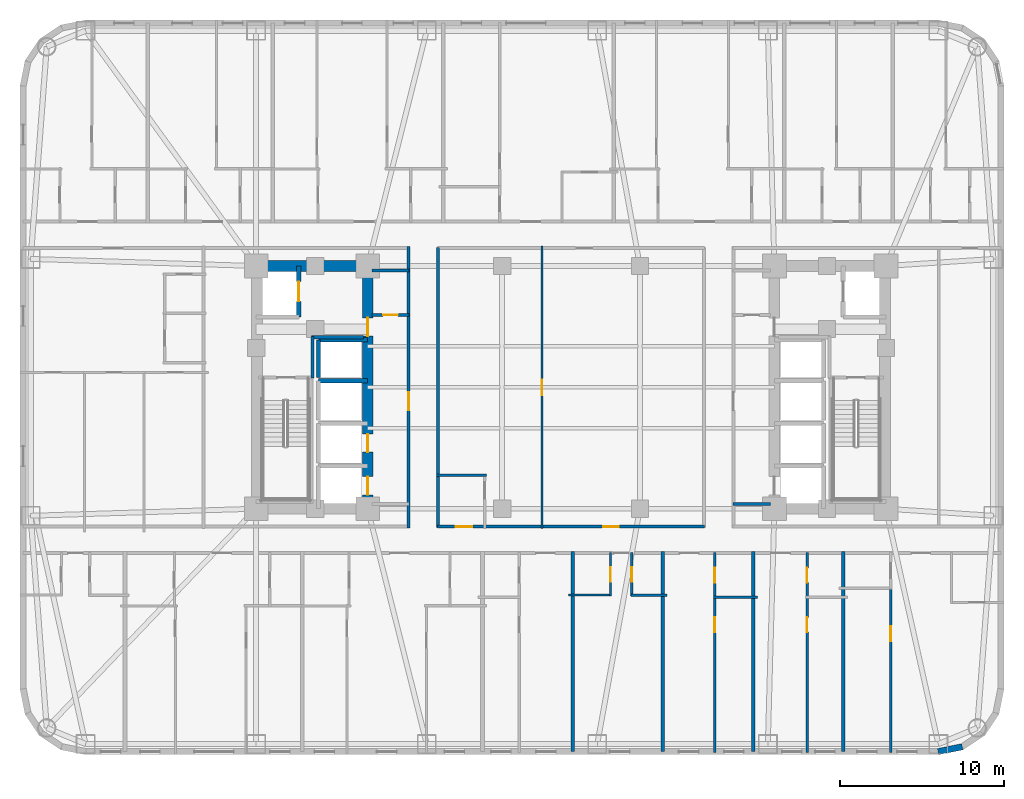
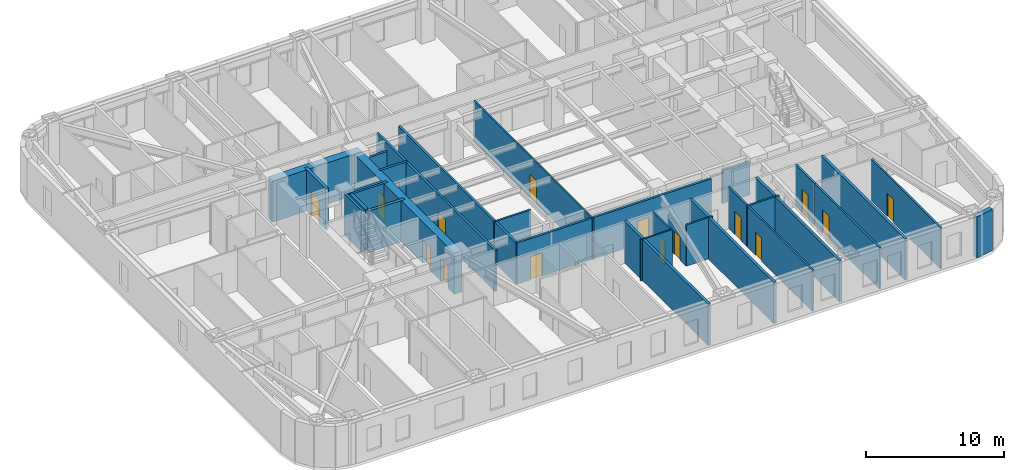
# One storey, part 5 of 11: 31 walls, 16 doors, 16 openings.
"""IFC4 building model written with IfcOpenShell, lengths in metres."""

from ifc_helpers import new_model, si_unit, direction, frame, frame_2d, origin, place, context, subcontext, project, spatial, rectangle, extrude, material, layer, layer_set, type_object, element, fill, save


model = new_model("IFC4")

# Units and contexts
model_context = context("Model", 3, precision=1e-05, world=origin(), true_north=direction((0.0, 1.0)))
body_context = subcontext(model_context, "Body", "Model", "MODEL_VIEW")
ifc_project = project(units=[si_unit("LENGTHUNIT", "METRE"), si_unit("AREAUNIT", "SQUARE_METRE"), si_unit("VOLUMEUNIT", "CUBIC_METRE"), si_unit("PLANEANGLEUNIT", "RADIAN"), si_unit("MASSUNIT", "GRAM", prefix="KILO")], contexts=[model_context])

# Site, building, storey
site_placement = place(None, origin())
site = spatial("IfcSite", under=ifc_project, at=site_placement, CompositionType="ELEMENT")
building_placement = place(site_placement, origin())
building = spatial("IfcBuilding", under=site, at=building_placement, Name="Voryun Gate Residences", CompositionType="ELEMENT")
storey_placement = place(building_placement, frame((0.0, 0.0, 37.699951171875)))
storey = spatial("IfcBuildingStorey", under=building, at=storey_placement, Name="L08", CompositionType="ELEMENT", Elevation=37.699951171875)

# Wall
ifc_material_1 = material(Name="Concrete C60/75", Category="concrete")
ifc_layer_1 = layer(ifc_material_1, 0.64990234375, Name="CW_CORE_650")
ifc_layer_set_1 = layer_set([ifc_layer_1], Name="Concrete C60/75")
wall_type_1 = type_object("IfcWallType", Name="CW_CORE_650", PredefinedType="SHEAR", material=ifc_layer_set_1)
wall_1_placement = place(storey_placement, frame((-19.52490234375, 7.39990234375, 0.0), z_axis=(0.0, 0.0, 1.0), x_axis=(1.0, 0.0, 0.0)))
element("IfcWall", 1, at=wall_1_placement, inside=storey, type_object=wall_type_1, Name="L08 Core shear wall CW-L08-WN", PredefinedType="SHEAR", context=body_context, shape_type="SweptSolid", body=[
    extrude(rectangle(XDim=7.449951171875, YDim=0.64990234375, at=frame_2d((3.72509765625, 0.0))), origin(), (0.0, 0.0, 1.0), 3.650146484375),
])

# Wall, openings, doors
wall_2_placement = place(storey_placement, frame((-12.39990234375, -7.39990234375, 0.0), z_axis=(0.0, 0.0, 1.0), x_axis=(0.0, 1.0, 0.0)))
wall_2 = element("IfcWall", 2, at=wall_2_placement, inside=storey, type_object=wall_type_1, Name="L08 Core shear wall CW-L08-WE", PredefinedType="SHEAR", context=body_context, shape_type="SweptSolid", body=[
    extrude(rectangle(XDim=14.7998046875, YDim=0.64990234375, at=frame_2d((7.39990234375, 0.0))), origin(), (0.0, 0.0, 1.0), 3.650146484375),
])
opening_1_placement = place(wall_2_placement, frame((0.85009765625, 0.0, 0.0)))
opening_1 = element("IfcOpeningElement", 3, at=opening_1_placement, cuts=wall_2, Name="Opening LD2", PredefinedType="OPENING", context=body_context, shape_type="SweptSolid", body=[
    extrude(rectangle(XDim=1.10009765625, YDim=2.050048828125, at=frame_2d((0.550048828125, 1.02490234375))), frame((0.0, 0.3349609375, 0.0), z_axis=(0.0, -1.0, 0.0), x_axis=(1.0, 0.0, 0.0)), (0.0, 0.0, 1.0), 0.669921875),
])
opening_2_placement = place(wall_2_placement, frame((3.449951171875, 0.0, 0.0)))
opening_2 = element("IfcOpeningElement", 4, at=opening_2_placement, cuts=wall_2, Name="Opening LD2", PredefinedType="OPENING", context=body_context, shape_type="SweptSolid", body=[
    extrude(rectangle(XDim=1.10009765625, YDim=2.050048828125, at=frame_2d((0.550048828125, 1.02490234375))), frame((0.0, 0.3349609375, 0.0), z_axis=(0.0, -1.0, 0.0), x_axis=(1.0, 0.0, 0.0)), (0.0, 0.0, 1.0), 0.669921875),
])
opening_3_placement = place(wall_2_placement, frame((10.530029296875, 0.0, 0.0)))
opening_3 = element("IfcOpeningElement", 5, at=opening_3_placement, cuts=wall_2, Name="Opening D-FD60-2", PredefinedType="OPENING", context=body_context, shape_type="SweptSolid", body=[
    extrude(rectangle(XDim=1.10009765625, YDim=2.050048828125, at=frame_2d((0.550048828125, 1.02490234375))), frame((0.0, 0.3349609375, 0.0), z_axis=(0.0, -1.0, 0.0), x_axis=(1.0, 0.0, 0.0)), (0.0, 0.0, 1.0), 0.669921875),
])
ifc_material_2 = material(Name="Painted steel fire door", Category="steel")
door_type_1 = type_object("IfcDoorType", Name="DR_FD60_FFLOB_1100", OperationType="NOTDEFINED", PredefinedType="DOOR", material=ifc_material_2)
door_1_placement = place(opening_3_placement, origin())
door_1 = element("IfcDoor", 6, at=door_1_placement, inside=storey, type_object=door_type_1, Name="Door DR-L08-CLOB-W", OperationType="SINGLE_SWING_LEFT", OverallHeight=2.050048828125, OverallWidth=1.10009765625, PredefinedType="DOOR", context=body_context, shape_type="SweptSolid", body=[
    extrude(rectangle(XDim=1.10009765625, YDim=2.050048828125, at=frame_2d((0.550048828125, 1.02490234375))), frame((0.0, 0.02490234375, 0.0), z_axis=(0.0, -1.0, 0.0), x_axis=(1.0, 0.0, 0.0)), (0.0, 0.0, 1.0), 0.050048828125),
])
fill(opening_3, door_1)
ifc_material_3 = material(Name="Anodised aluminium", Category="aluminium")
door_type_2 = type_object("IfcDoorType", Name="DR_LD_PASS_1100", OperationType="NOTDEFINED", PredefinedType="DOOR", material=ifc_material_3)
door_2_placement = place(opening_1_placement, origin())
door_2 = element("IfcDoor", 7, at=door_2_placement, inside=storey, type_object=door_type_2, Name="Lift EL-P1 sliding landing door L08", OperationType="SLIDING_TO_LEFT", OverallHeight=2.050048828125, OverallWidth=1.10009765625, PredefinedType="DOOR", context=body_context, shape_type="SweptSolid", body=[
    extrude(rectangle(XDim=1.10009765625, YDim=2.050048828125, at=frame_2d((0.550048828125, 1.02490234375))), frame((0.0, 0.02490234375, 0.0), z_axis=(0.0, -1.0, 0.0), x_axis=(1.0, 0.0, 0.0)), (0.0, 0.0, 1.0), 0.050048828125),
])
fill(opening_1, door_2)
door_3_placement = place(opening_2_placement, origin())
door_3 = element("IfcDoor", 8, at=door_3_placement, inside=storey, type_object=door_type_2, Name="Lift EL-P2 sliding landing door L08", OperationType="SLIDING_TO_LEFT", OverallHeight=2.050048828125, OverallWidth=1.10009765625, PredefinedType="DOOR", context=body_context, shape_type="SweptSolid", body=[
    extrude(rectangle(XDim=1.10009765625, YDim=2.050048828125, at=frame_2d((0.550048828125, 1.02490234375))), frame((0.0, 0.02490234375, 0.0), z_axis=(0.0, -1.0, 0.0), x_axis=(1.0, 0.0, 0.0)), (0.0, 0.0, 1.0), 0.050048828125),
])
fill(opening_2, door_3)

# Walls
ifc_material_4 = material(Name="Gypsum acoustic fireboard")
ifc_layer_2 = layer(ifc_material_4, 0.179931640625, Name="W_CORR_RATED_180")
ifc_layer_set_2 = layer_set([ifc_layer_2], Name="Gypsum acoustic fireboard")
wall_type_2 = type_object("IfcWallType", Name="W_CORR_RATED_180", PredefinedType="PARTITIONING", material=ifc_layer_set_2)
for number, where, z_axis, x_axis, name in (
    (9, (-12.14990234375, 7.1201171875, 0.0), (0.0, 0.0, 1.0), (1.0, 0.0, 0.0), "Partition wall WP-L08-PLBN-W"),
    (10, (9.8798828125, -7.1201171875, 0.0), (0.0, 0.0, 1.0), (1.0, 0.0, 0.0), "Partition wall WP-L08-PLBS-E"),
):
    element("IfcWall", number, at=place(storey_placement, frame(where, z_axis=z_axis, x_axis=x_axis)), inside=storey, type_object=wall_type_2, Name=name, PredefinedType="PARTITIONING", context=body_context, shape_type="SweptSolid", body=[
        extrude(rectangle(XDim=2.27001953125, YDim=0.179931640625, at=frame_2d((1.135009765625, 0.0))), origin(), (0.0, 0.0, 1.0), 2.93994140625),
    ])

# Wall, opening, door
wall_3_placement = place(storey_placement, frame((-9.89990234375, -8.580078125, 0.0), z_axis=(0.0, 0.0, 1.0), x_axis=(0.0, 1.0, 0.0)))
wall_3 = element("IfcWall", 11, at=wall_3_placement, inside=storey, type_object=wall_type_2, Name="Partition wall WP-L08-PLBW-FULL", PredefinedType="PARTITIONING", context=body_context, shape_type="SweptSolid", body=[
    extrude(rectangle(XDim=17.16015625, YDim=0.179931640625, at=frame_2d((8.580078125, 0.0))), origin(), (0.0, 0.0, 1.0), 3.650146484375),
])
opening_4_placement = place(wall_3_placement, frame((7.172119140625, 0.0, 0.0)))
opening_4 = element("IfcOpeningElement", 12, at=opening_4_placement, cuts=wall_3, Name="Opening D-FD60-2", PredefinedType="OPENING", context=body_context, shape_type="SweptSolid", body=[
    extrude(rectangle(XDim=1.10009765625, YDim=2.050048828125, at=frame_2d((0.550048828125, 1.02490234375))), frame((0.0, 0.099853515625, 0.0), z_axis=(0.0, -1.0, 0.0), x_axis=(1.0, 0.0, 0.0)), (0.0, 0.0, 1.0), 0.199951171875),
])
door_4_placement = place(opening_4_placement, origin())
door_4 = element("IfcDoor", 13, at=door_4_placement, inside=storey, type_object=door_type_1, Name="Door DR-L08-PLBW-COR", OperationType="SINGLE_SWING_LEFT", OverallHeight=2.050048828125, OverallWidth=1.10009765625, PredefinedType="DOOR", context=body_context, shape_type="SweptSolid", body=[
    extrude(rectangle(XDim=1.10009765625, YDim=2.050048828125, at=frame_2d((0.550048828125, 1.02490234375))), frame((0.0, 0.02490234375, 0.0), z_axis=(0.0, -1.0, 0.0), x_axis=(1.0, 0.0, 0.0)), (0.0, 0.0, 1.0), 0.050048828125),
])
fill(opening_4, door_4)

# Wall, openings, doors
wall_4_placement = place(storey_placement, frame((-8.14990234375, -8.489990234375, 0.0), z_axis=(0.0, 0.0, 1.0), x_axis=(1.0, 0.0, 0.0)))
wall_4 = element("IfcWall", 14, at=wall_4_placement, inside=storey, type_object=wall_type_2, Name="Partition wall WP-L08-Z1S", PredefinedType="PARTITIONING", context=body_context, shape_type="SweptSolid", body=[
    extrude(rectangle(XDim=16.2998046875, YDim=0.179931640625, at=frame_2d((8.14990234375, 0.0))), origin(), (0.0, 0.0, 1.0), 3.650146484375),
])
opening_5_placement = place(wall_4_placement, frame((1.1298828125, 0.0, 0.0)))
opening_5 = element("IfcOpeningElement", 15, at=opening_5_placement, cuts=wall_4, Name="Opening D-AWC-1", PredefinedType="OPENING", context=body_context, shape_type="SweptSolid", body=[
    extrude(rectangle(XDim=1.0, YDim=2.050048828125, at=frame_2d((0.5, 1.02490234375))), frame((0.0, 0.099853515625, 0.0), z_axis=(0.0, -1.0, 0.0), x_axis=(1.0, 0.0, 0.0)), (0.0, 0.0, 1.0), 0.199951171875),
])
opening_6_placement = place(wall_4_placement, frame((10.1201171875, 0.0, 0.0)))
opening_6 = element("IfcOpeningElement", 16, at=opening_6_placement, cuts=wall_4, Name="Opening D-INT-1", PredefinedType="OPENING", context=body_context, shape_type="SweptSolid", body=[
    extrude(rectangle(XDim=0.949951171875, YDim=2.050048828125, at=frame_2d((0.47509765625, 1.02490234375))), frame((0.0, 0.099853515625, 0.0), z_axis=(0.0, -1.0, 0.0), x_axis=(1.0, 0.0, 0.0)), (0.0, 0.0, 1.0), 0.199951171875),
])
ifc_material_5 = material(Name="Architectural oak veneer")
door_type_3 = type_object("IfcDoorType", Name="DR_ACC_WC_1000", OperationType="NOTDEFINED", PredefinedType="DOOR", material=ifc_material_5)
door_5_placement = place(opening_5_placement, origin())
door_5 = element("IfcDoor", 17, at=door_5_placement, inside=storey, type_object=door_type_3, Name="Door DR-L08-CMWC-D", OperationType="SINGLE_SWING_LEFT", OverallHeight=2.050048828125, OverallWidth=1.0, PredefinedType="DOOR", context=body_context, shape_type="SweptSolid", body=[
    extrude(rectangle(XDim=1.0, YDim=2.050048828125, at=frame_2d((0.5, 1.02490234375))), frame((0.0, 0.02490234375, 0.0), z_axis=(0.0, -1.0, 0.0), x_axis=(1.0, 0.0, 0.0)), (0.0, 0.0, 1.0), 0.050048828125),
])
fill(opening_5, door_5)
ifc_material_6 = material(Name="Architectural oak veneer")
door_type_4 = type_object("IfcDoorType", Name="DR_INT_ROOM_950", OperationType="NOTDEFINED", PredefinedType="DOOR", material=ifc_material_6)
door_6_placement = place(opening_6_placement, origin())
door_6 = element("IfcDoor", 18, at=door_6_placement, inside=storey, type_object=door_type_4, Name="Door DR-L08-CMIDZ1S", OperationType="SINGLE_SWING_RIGHT", OverallHeight=2.050048828125, OverallWidth=0.949951171875, PredefinedType="DOOR", context=body_context, shape_type="SweptSolid", body=[
    extrude(rectangle(XDim=0.949951171875, YDim=2.050048828125, at=frame_2d((0.47509765625, 1.02490234375))), frame((0.0, 0.02490234375, 0.0), z_axis=(0.0, -1.0, 0.0), x_axis=(1.0, 0.0, 0.0)), (0.0, 0.0, 1.0), 0.050048828125),
])
fill(opening_6, door_6)

# Walls
wall_5_placement = place(storey_placement, frame((-8.10009765625, -8.530029296875, 0.0), z_axis=(0.0, 0.0, 1.0), x_axis=(0.0, 1.0, 0.0)))
element("IfcWall", 19, at=wall_5_placement, inside=storey, type_object=wall_type_2, Name="Partition wall WP-L08-Z1W", PredefinedType="PARTITIONING", context=body_context, shape_type="SweptSolid", body=[
    extrude(rectangle(XDim=17.06005859375, YDim=0.179931640625, at=frame_2d((8.530029296875, 0.0))), origin(), (0.0, 0.0, 1.0), 3.650146484375),
])
ifc_material_7 = material(Name="Granite masonry", Category="masonry")
ifc_layer_3 = layer(ifc_material_7, 0.3798828125, Name="W_EXT_GRANITE_380")
ifc_layer_set_3 = layer_set([ifc_layer_3], Name="Granite masonry")
wall_type_3 = type_object("IfcWallType", Name="W_EXT_GRANITE_380", PredefinedType="ELEMENTEDWALL", material=ifc_layer_set_3)
wall_6_placement = place(storey_placement, frame((23.856689453125, -21.91650390625, 0.0), z_axis=(0.0, 0.0, 1.0), x_axis=(-0.980786132421, -0.195086038585, 0.0)))
element("IfcWall", 20, at=wall_6_placement, inside=storey, type_object=wall_type_3, Name="Exterior wall WEXT-L08-20", PredefinedType="ELEMENTEDWALL", context=body_context, shape_type="SweptSolid", body=[
    extrude(rectangle(XDim=1.504150390625, YDim=0.3798828125, at=frame_2d((0.751953125, 0.0))), origin(), (0.0, 0.0, 1.0), 3.650146484375),
])
ifc_material_8 = material(Name="Concrete C40/50", Category="concrete")
ifc_layer_4 = layer(ifc_material_8, 0.199951171875, Name="W_FF_LOBBY_200")
ifc_layer_set_4 = layer_set([ifc_layer_4], Name="Concrete C40/50")
wall_type_4 = type_object("IfcWallType", Name="W_FF_LOBBY_200", PredefinedType="PARTITIONING", material=ifc_layer_set_4)
wall_7_placement = place(storey_placement, frame((-15.760009765625, 0.580078125, 0.0), z_axis=(0.0, 0.0, 1.0), x_axis=(0.0, 1.0, 0.0)))
element("IfcWall", 21, at=wall_7_placement, inside=storey, type_object=wall_type_4, Name="Partition wall WP-L08-FFP0-W", PredefinedType="PARTITIONING", context=body_context, shape_type="SweptSolid", body=[
    extrude(rectangle(XDim=2.52001953125, YDim=0.199951171875, at=frame_2d((1.260009765625, 0.0))), origin(), (0.0, 0.0, 1.0), 3.650146484375),
])
wall_8_placement = place(storey_placement, frame((-15.820068359375, 3.06005859375, 0.0), z_axis=(0.0, 0.0, 1.0), x_axis=(1.0, 0.0, 0.0)))
element("IfcWall", 22, at=wall_8_placement, inside=storey, type_object=wall_type_4, Name="Partition wall WP-L08-FFPS-W", PredefinedType="PARTITIONING", context=body_context, shape_type="SweptSolid", body=[
    extrude(rectangle(XDim=3.16015625, YDim=0.199951171875, at=frame_2d((1.580078125, 0.0))), origin(), (0.0, 0.0, 1.0), 3.650146484375),
])

# Wall, opening, door
wall_9_placement = place(storey_placement, frame((-12.14990234375, 4.409912109375, 0.0), z_axis=(0.0, 0.0, 1.0), x_axis=(1.0, 0.0, 0.0)))
wall_9 = element("IfcWall", 23, at=wall_9_placement, inside=storey, type_object=wall_type_4, Name="Partition wall WP-L08-CSFLKS-W", PredefinedType="PARTITIONING", context=body_context, shape_type="SweptSolid", body=[
    extrude(rectangle(XDim=2.27001953125, YDim=0.199951171875, at=frame_2d((1.135009765625, 0.0))), origin(), (0.0, 0.0, 1.0), 3.650146484375),
])
opening_7_placement = place(wall_9_placement, frame((0.68505859375, 0.0, 0.0)))
opening_7 = element("IfcOpeningElement", 24, at=opening_7_placement, cuts=wall_9, Name="Opening D-FD60-4", PredefinedType="OPENING", context=body_context, shape_type="SweptSolid", body=[
    extrude(rectangle(XDim=0.89990234375, YDim=2.050048828125, at=frame_2d((0.449951171875, 1.02490234375))), frame((0.0, 0.110107421875, 0.0), z_axis=(0.0, -1.0, 0.0), x_axis=(1.0, 0.0, 0.0)), (0.0, 0.0, 1.0), 0.219970703125),
])
ifc_material_9 = material(Name="Painted steel fire door", Category="steel")
door_type_5 = type_object("IfcDoorType", Name="DR_FD60_RISER_900", OperationType="NOTDEFINED", PredefinedType="DOOR", material=ifc_material_9)
door_7_placement = place(opening_7_placement, origin())
door_7 = element("IfcDoor", 25, at=door_7_placement, inside=storey, type_object=door_type_5, Name="Door DR-L08-CSFLK-W", OperationType="SINGLE_SWING_LEFT", OverallHeight=2.050048828125, OverallWidth=0.89990234375, PredefinedType="DOOR", context=body_context, shape_type="SweptSolid", body=[
    extrude(rectangle(XDim=0.89990234375, YDim=2.050048828125, at=frame_2d((0.449951171875, 1.02490234375))), frame((0.0, 0.02490234375, 0.0), z_axis=(0.0, -1.0, 0.0), x_axis=(1.0, 0.0, 0.0)), (0.0, 0.0, 1.0), 0.050048828125),
])
fill(opening_7, door_7)

# Walls
ifc_material_10 = material(Name="Concrete C40/50", Category="concrete")
ifc_layer_5 = layer(ifc_material_10, 0.219970703125, Name="W_PARTY_ACOUSTIC_220")
ifc_layer_set_5 = layer_set([ifc_layer_5], Name="Concrete C40/50")
wall_type_5 = type_object("IfcWallType", Name="W_PARTY_ACOUSTIC_220", PredefinedType="PARTITIONING", material=ifc_layer_set_5)
for number, where, z_axis, x_axis, name in (
    (26, (0.10009765625, -22.2099609375, 0.0), (0.0, 0.0, 1.0), (0.0, 1.0, 0.0), "Partition wall WP-L08-SPTY-4"),
    (27, (5.60009765625, -22.2099609375, 0.0), (0.0, 0.0, 1.0), (0.0, 1.0, 0.0), "Partition wall WP-L08-SPTY-5"),
    (28, (11.10009765625, -22.2099609375, 0.0), (0.0, 0.0, 1.0), (0.0, 1.0, 0.0), "Partition wall WP-L08-SPTY-6"),
    (29, (16.60009765625, -22.2099609375, 0.0), (0.0, 0.0, 1.0), (0.0, 1.0, 0.0), "Partition wall WP-L08-SPTY-7"),
):
    element("IfcWall", number, at=place(storey_placement, frame(where, z_axis=z_axis, x_axis=x_axis)), inside=storey, type_object=wall_type_5, Name=name, PredefinedType="PARTITIONING", context=body_context, shape_type="SweptSolid", body=[
        extrude(rectangle(XDim=12.18994140625, YDim=0.219970703125, at=frame_2d((6.094970703125, 0.0))), origin(), (0.0, 0.0, 1.0), 3.650146484375),
    ])

# Wall, opening, door
ifc_material_11 = material(Name="Concrete C50/60", Category="concrete")
ifc_layer_6 = layer(ifc_material_11, 0.25, Name="W_SHAFT_RC250")
ifc_layer_set_6 = layer_set([ifc_layer_6], Name="Concrete C50/60")
wall_type_6 = type_object("IfcWallType", Name="W_SHAFT_RC250", PredefinedType="SOLIDWALL", material=ifc_layer_set_6)
wall_10_placement = place(storey_placement, frame((-16.60009765625, 4.300048828125, 0.0), z_axis=(0.0, 0.0, 1.0), x_axis=(0.0, 1.0, 0.0)))
wall_10 = element("IfcWall", 30, at=wall_10_placement, inside=storey, type_object=wall_type_6, Name="Lift shaft wall WSH-L08-EL-FF-W1-E", PredefinedType="SOLIDWALL", context=body_context, shape_type="SweptSolid", body=[
    extrude(rectangle(XDim=3.099853515625, YDim=0.25, at=frame_2d((1.5498046875, 0.0))), origin(), (0.0, 0.0, 1.0), 3.650146484375),
])
opening_8_placement = place(wall_10_placement, frame((0.949951171875, 0.0, 0.0)))
opening_8 = element("IfcOpeningElement", 31, at=opening_8_placement, cuts=wall_10, Name="Opening LD1", PredefinedType="OPENING", context=body_context, shape_type="SweptSolid", body=[
    extrude(rectangle(XDim=1.199951171875, YDim=2.050048828125, at=frame_2d((0.60009765625, 1.02490234375))), frame((0.0, 0.135009765625, 0.0), z_axis=(0.0, -1.0, 0.0), x_axis=(1.0, 0.0, 0.0)), (0.0, 0.0, 1.0), 0.27001953125),
])
ifc_material_12 = material(Name="Anodised aluminium", Category="aluminium")
door_type_6 = type_object("IfcDoorType", Name="DR_LD_FF_1200", OperationType="NOTDEFINED", PredefinedType="DOOR", material=ifc_material_12)
door_8_placement = place(opening_8_placement, origin())
door_8 = element("IfcDoor", 32, at=door_8_placement, inside=storey, type_object=door_type_6, Name="Lift EL-FF-W1 sliding landing door L08", OperationType="SLIDING_TO_LEFT", OverallHeight=2.050048828125, OverallWidth=1.199951171875, PredefinedType="DOOR", context=body_context, shape_type="SweptSolid", body=[
    extrude(rectangle(XDim=1.199951171875, YDim=2.050048828125, at=frame_2d((0.60009765625, 1.02490234375))), frame((0.0, 0.02490234375, 0.0), z_axis=(0.0, -1.0, 0.0), x_axis=(1.0, 0.0, 0.0)), (0.0, 0.0, 1.0), 0.050048828125),
])
fill(opening_8, door_8)

# Walls
for number, where, z_axis, x_axis, name in (
    (33, (-12.39990234375, 0.39990234375, 0.0), (0.0, 0.0, 1.0), (-1.0, 0.0, 0.0), "Lift shaft wall WSH-L08-EL-P4-N"),
    (34, (-12.39990234375, 2.89990234375, 0.0), (0.0, 0.0, 1.0), (-1.0, 0.0, 0.0), "Lift shaft wall WSH-L08-EL-P7-N"),
):
    element("IfcWall", number, at=place(storey_placement, frame(where, z_axis=z_axis, x_axis=x_axis)), inside=storey, type_object=wall_type_6, Name=name, PredefinedType="SOLIDWALL", context=body_context, shape_type="SweptSolid", body=[
        extrude(rectangle(XDim=3.0, YDim=0.25, at=frame_2d((1.5, 0.0))), origin(), (0.0, 0.0, 1.0), 3.650146484375),
    ])
wall_11_placement = place(storey_placement, frame((-15.39990234375, 2.89990234375, 0.0), z_axis=(0.0, 0.0, 1.0), x_axis=(0.0, -1.0, 0.0)))
element("IfcWall", 35, at=wall_11_placement, inside=storey, type_object=wall_type_6, Name="Lift shaft wall WSH-L08-EL-P7-W", PredefinedType="SOLIDWALL", context=body_context, shape_type="SweptSolid", body=[
    extrude(rectangle(XDim=2.2998046875, YDim=0.25, at=frame_2d((1.14990234375, 0.0))), origin(), (0.0, 0.0, 1.0), 3.650146484375),
])

# Wall, opening, door
ifc_material_13 = material(Name="Gypsum acoustic partition")
ifc_layer_7 = layer(ifc_material_13, 0.125, Name="W_UNIT_PART_125")
ifc_layer_set_7 = layer_set([ifc_layer_7], Name="Gypsum acoustic partition")
wall_type_7 = type_object("IfcWallType", Name="W_UNIT_PART_125", PredefinedType="PARTITIONING", material=ifc_layer_set_7)
wall_12_placement = place(storey_placement, frame((-1.77294921875, -8.6201171875, 0.0), z_axis=(0.0, 0.0, 1.0), x_axis=(0.0, 1.0, 0.0)))
wall_12 = element("IfcWall", 36, at=wall_12_placement, inside=storey, type_object=wall_type_7, Name="Partition wall WP-L08-MIDX-0", PredefinedType="PARTITIONING", context=body_context, shape_type="SweptSolid", body=[
    extrude(rectangle(XDim=17.240234375, YDim=0.125, at=frame_2d((8.6201171875, 0.0))), origin(), (0.0, 0.0, 1.0), 3.650146484375),
])
opening_9_placement = place(wall_12_placement, frame((8.14501953125, 0.0, 0.0)))
opening_9 = element("IfcOpeningElement", 37, at=opening_9_placement, cuts=wall_12, Name="Opening D-INT-1", PredefinedType="OPENING", context=body_context, shape_type="SweptSolid", body=[
    extrude(rectangle(XDim=0.949951171875, YDim=2.050048828125, at=frame_2d((0.47509765625, 1.02490234375))), frame((0.0, 0.072509765625, 0.0), z_axis=(0.0, -1.0, 0.0), x_axis=(1.0, 0.0, 0.0)), (0.0, 0.0, 1.0), 0.14501953125),
])
door_9_placement = place(opening_9_placement, origin())
door_9 = element("IfcDoor", 38, at=door_9_placement, inside=storey, type_object=door_type_4, Name="Door DR-L08-MIDX-0", OperationType="SINGLE_SWING_LEFT", OverallHeight=2.050048828125, OverallWidth=0.949951171875, PredefinedType="DOOR", context=body_context, shape_type="SweptSolid", body=[
    extrude(rectangle(XDim=0.949951171875, YDim=2.050048828125, at=frame_2d((0.47509765625, 1.02490234375))), frame((0.0, 0.02490234375, 0.0), z_axis=(0.0, -1.0, 0.0), x_axis=(1.0, 0.0, 0.0)), (0.0, 0.0, 1.0), 0.050048828125),
])
fill(opening_9, door_9)

wall_13_placement = place(storey_placement, frame((2.409912109375, -12.72998046875, 0.0), z_axis=(0.0, 0.0, 1.0), x_axis=(0.0, 1.0, 0.0)))
wall_13 = element("IfcWall", 39, at=wall_13_placement, inside=storey, type_object=wall_type_7, Name="Partition wall WP-L08-S5-CVK", PredefinedType="PARTITIONING", context=body_context, shape_type="SweptSolid", body=[
    extrude(rectangle(XDim=2.64990234375, YDim=0.125, at=frame_2d((1.324951171875, 0.0))), origin(), (0.0, 0.0, 1.0), 3.650146484375),
])
opening_10_placement = place(wall_13_placement, frame((0.875, 0.0, 0.0)))
opening_10 = element("IfcOpeningElement", 40, at=opening_10_placement, cuts=wall_13, Name="Opening D-INT-2", PredefinedType="OPENING", context=body_context, shape_type="SweptSolid", body=[
    extrude(rectangle(XDim=0.89990234375, YDim=2.050048828125, at=frame_2d((0.449951171875, 1.02490234375))), frame((0.0, 0.072509765625, 0.0), z_axis=(0.0, -1.0, 0.0), x_axis=(1.0, 0.0, 0.0)), (0.0, 0.0, 1.0), 0.14501953125),
])
ifc_material_14 = material(Name="Architectural oak veneer")
door_type_7 = type_object("IfcDoorType", Name="DR_INT_BATH_900", OperationType="NOTDEFINED", PredefinedType="DOOR", material=ifc_material_14)
door_10_placement = place(opening_10_placement, origin())
door_10 = element("IfcDoor", 41, at=door_10_placement, inside=storey, type_object=door_type_7, Name="Door DR-L08-S5-DK", OperationType="SINGLE_SWING_LEFT", OverallHeight=2.050048828125, OverallWidth=0.89990234375, PredefinedType="DOOR", context=body_context, shape_type="SweptSolid", body=[
    extrude(rectangle(XDim=0.89990234375, YDim=2.050048828125, at=frame_2d((0.449951171875, 1.02490234375))), frame((0.0, 0.02490234375, 0.0), z_axis=(0.0, -1.0, 0.0), x_axis=(1.0, 0.0, 0.0)), (0.0, 0.0, 1.0), 0.050048828125),
])
fill(opening_10, door_10)

# Walls
wall_14_placement = place(storey_placement, frame((-0.159912109375, -12.669921875, 0.0), z_axis=(0.0, 0.0, 1.0), x_axis=(1.0, 0.0, 0.0)))
element("IfcWall", 42, at=wall_14_placement, inside=storey, type_object=wall_type_7, Name="Partition wall WP-L08-S5-CHK", PredefinedType="PARTITIONING", context=body_context, shape_type="SweptSolid", body=[
    extrude(rectangle(XDim=2.6298828125, YDim=0.125, at=frame_2d((1.31494140625, 0.0))), origin(), (0.0, 0.0, 1.0), 3.650146484375),
])
ifc_material_15 = material(Name="Gypsum moisture-resistant partition")
ifc_layer_8 = layer(ifc_material_15, 0.14990234375, Name="W_WET_PLUMB_150")
ifc_layer_set_8 = layer_set([ifc_layer_8], Name="Gypsum moisture-resistant partition")
wall_type_8 = type_object("IfcWallType", Name="W_WET_PLUMB_150", PredefinedType="PLUMBINGWALL", material=ifc_layer_set_8)
wall_15_placement = place(storey_placement, frame((-8.2099609375, -5.3701171875, 0.0), z_axis=(0.0, 0.0, 1.0), x_axis=(1.0, 0.0, 0.0)))
element("IfcWall", 43, at=wall_15_placement, inside=storey, type_object=wall_type_8, Name="Partition wall WP-L08-CMWCY", PredefinedType="PLUMBINGWALL", context=body_context, shape_type="SweptSolid", body=[
    extrude(rectangle(XDim=3.050048828125, YDim=0.14990234375, at=frame_2d((1.52490234375, 0.0))), origin(), (0.0, 0.0, 1.0), 3.650146484375),
])

# Wall, opening, door
wall_16_placement = place(storey_placement, frame((3.7109375, -12.72998046875, 0.0), z_axis=(0.0, 0.0, 1.0), x_axis=(0.0, 1.0, 0.0)))
wall_16 = element("IfcWall", 44, at=wall_16_placement, inside=storey, type_object=wall_type_8, Name="Partition wall WP-L08-S5-CVB", PredefinedType="PLUMBINGWALL", context=body_context, shape_type="SweptSolid", body=[
    extrude(rectangle(XDim=2.64990234375, YDim=0.14990234375, at=frame_2d((1.324951171875, 0.0))), origin(), (0.0, 0.0, 1.0), 2.93994140625),
])
opening_11_placement = place(wall_16_placement, frame((0.875, 0.0, 0.0)))
opening_11 = element("IfcOpeningElement", 45, at=opening_11_placement, cuts=wall_16, Name="Opening D-INT-2", PredefinedType="OPENING", context=body_context, shape_type="SweptSolid", body=[
    extrude(rectangle(XDim=0.89990234375, YDim=2.050048828125, at=frame_2d((0.449951171875, 1.02490234375))), frame((0.0, 0.0849609375, 0.0), z_axis=(0.0, -1.0, 0.0), x_axis=(1.0, 0.0, 0.0)), (0.0, 0.0, 1.0), 0.169921875),
])
door_11_placement = place(opening_11_placement, origin())
door_11 = element("IfcDoor", 46, at=door_11_placement, inside=storey, type_object=door_type_7, Name="Door DR-L08-S5-DB", OperationType="SINGLE_SWING_RIGHT", OverallHeight=2.050048828125, OverallWidth=0.89990234375, PredefinedType="DOOR", context=body_context, shape_type="SweptSolid", body=[
    extrude(rectangle(XDim=0.89990234375, YDim=2.050048828125, at=frame_2d((0.449951171875, 1.02490234375))), frame((0.0, 0.02490234375, 0.0), z_axis=(0.0, -1.0, 0.0), x_axis=(1.0, 0.0, 0.0)), (0.0, 0.0, 1.0), 0.050048828125),
])
fill(opening_11, door_11)

# Walls
wall_17_placement = place(storey_placement, frame((3.65087890625, -12.669921875, 0.0), z_axis=(0.0, 0.0, 1.0), x_axis=(1.0, 0.0, 0.0)))
element("IfcWall", 47, at=wall_17_placement, inside=storey, type_object=wall_type_8, Name="Partition wall WP-L08-S5-CHB", PredefinedType="PLUMBINGWALL", context=body_context, shape_type="SweptSolid", body=[
    extrude(rectangle(XDim=2.209228515625, YDim=0.14990234375, at=frame_2d((1.1044921875, 0.0))), origin(), (0.0, 0.0, 1.0), 3.650146484375),
])
wall_18_placement = place(storey_placement, frame((8.678955078125, -12.800048828125, 0.0), z_axis=(0.0, 0.0, 1.0), x_axis=(1.0, 0.0, 0.0)))
element("IfcWall", 48, at=wall_18_placement, inside=storey, type_object=wall_type_8, Name="Partition wall WP-L08-S6-SKB", PredefinedType="PLUMBINGWALL", context=body_context, shape_type="SweptSolid", body=[
    extrude(rectangle(XDim=2.68115234375, YDim=0.14990234375, at=frame_2d((1.340576171875, 0.0))), origin(), (0.0, 0.0, 1.0), 3.650146484375),
])

# Wall, opening, door
wall_19_placement = place(storey_placement, frame((8.759033203125, -22.257568359375, 0.0), z_axis=(0.0, 0.0, 1.0), x_axis=(0.0, 1.0, 0.0)))
wall_19 = element("IfcWall", 49, at=wall_19_placement, inside=storey, type_object=wall_type_8, Name="Partition wall WP-L08-S6-SVT1", PredefinedType="PLUMBINGWALL", context=body_context, shape_type="SweptSolid", body=[
    extrude(rectangle(XDim=9.49755859375, YDim=0.14990234375, at=frame_2d((4.748779296875, 0.0))), origin(), (0.0, 0.0, 1.0), 3.650146484375),
])
opening_12_placement = place(wall_19_placement, frame((7.337890625, 0.0, 0.0)))
opening_12 = element("IfcOpeningElement", 50, at=opening_12_placement, cuts=wall_19, Name="Opening D-INT-2", PredefinedType="OPENING", context=body_context, shape_type="SweptSolid", body=[
    extrude(rectangle(XDim=0.89990234375, YDim=2.050048828125, at=frame_2d((0.449951171875, 1.02490234375))), frame((0.0, 0.0849609375, 0.0), z_axis=(0.0, -1.0, 0.0), x_axis=(1.0, 0.0, 0.0)), (0.0, 0.0, 1.0), 0.169921875),
])
door_12_placement = place(opening_12_placement, origin())
door_12 = element("IfcDoor", 51, at=door_12_placement, inside=storey, type_object=door_type_7, Name="Door DR-L08-S6-DK", OperationType="SINGLE_SWING_LEFT", OverallHeight=2.050048828125, OverallWidth=0.89990234375, PredefinedType="DOOR", context=body_context, shape_type="SweptSolid", body=[
    extrude(rectangle(XDim=0.89990234375, YDim=2.050048828125, at=frame_2d((0.449951171875, 1.02490234375))), frame((0.0, 0.02490234375, 0.0), z_axis=(0.0, -1.0, 0.0), x_axis=(1.0, 0.0, 0.0)), (0.0, 0.0, 1.0), 0.050048828125),
])
fill(opening_12, door_12)

wall_20_placement = place(storey_placement, frame((8.759033203125, -12.840087890625, 0.0), z_axis=(0.0, 0.0, 1.0), x_axis=(0.0, 1.0, 0.0)))
wall_20 = element("IfcWall", 52, at=wall_20_placement, inside=storey, type_object=wall_type_8, Name="Partition wall WP-L08-S6-SVT2", PredefinedType="PLUMBINGWALL", context=body_context, shape_type="SweptSolid", body=[
    extrude(rectangle(XDim=2.760009765625, YDim=0.14990234375, at=frame_2d((1.3798828125, 0.0))), origin(), (0.0, 0.0, 1.0), 3.650146484375),
])
opening_13_placement = place(wall_20_placement, frame((0.929931640625, 0.0, 0.0)))
opening_13 = element("IfcOpeningElement", 53, at=opening_13_placement, cuts=wall_20, Name="Opening D-INT-2", PredefinedType="OPENING", context=body_context, shape_type="SweptSolid", body=[
    extrude(rectangle(XDim=0.89990234375, YDim=2.050048828125, at=frame_2d((0.449951171875, 1.02490234375))), frame((0.0, 0.0849609375, 0.0), z_axis=(0.0, -1.0, 0.0), x_axis=(1.0, 0.0, 0.0)), (0.0, 0.0, 1.0), 0.169921875),
])
door_13_placement = place(opening_13_placement, origin())
door_13 = element("IfcDoor", 54, at=door_13_placement, inside=storey, type_object=door_type_7, Name="Door DR-L08-S6-DB", OperationType="SINGLE_SWING_RIGHT", OverallHeight=2.050048828125, OverallWidth=0.89990234375, PredefinedType="DOOR", context=body_context, shape_type="SweptSolid", body=[
    extrude(rectangle(XDim=0.89990234375, YDim=2.050048828125, at=frame_2d((0.449951171875, 1.02490234375))), frame((0.0, 0.02490234375, 0.0), z_axis=(0.0, -1.0, 0.0), x_axis=(1.0, 0.0, 0.0)), (0.0, 0.0, 1.0), 0.050048828125),
])
fill(opening_13, door_13)

wall_21_placement = place(storey_placement, frame((14.389892578125, -22.257568359375, 0.0), z_axis=(0.0, 0.0, 1.0), x_axis=(0.0, 1.0, 0.0)))
wall_21 = element("IfcWall", 55, at=wall_21_placement, inside=storey, type_object=wall_type_8, Name="Partition wall WP-L08-S7-SVT1", PredefinedType="PLUMBINGWALL", context=body_context, shape_type="SweptSolid", body=[
    extrude(rectangle(XDim=9.49755859375, YDim=0.14990234375, at=frame_2d((4.748779296875, 0.0))), origin(), (0.0, 0.0, 1.0), 3.650146484375),
])
opening_14_placement = place(wall_21_placement, frame((7.337890625, 0.0, 0.0)))
opening_14 = element("IfcOpeningElement", 56, at=opening_14_placement, cuts=wall_21, Name="Opening D-INT-2", PredefinedType="OPENING", context=body_context, shape_type="SweptSolid", body=[
    extrude(rectangle(XDim=0.89990234375, YDim=2.050048828125, at=frame_2d((0.449951171875, 1.02490234375))), frame((0.0, 0.0849609375, 0.0), z_axis=(0.0, -1.0, 0.0), x_axis=(1.0, 0.0, 0.0)), (0.0, 0.0, 1.0), 0.169921875),
])
door_14_placement = place(opening_14_placement, origin())
door_14 = element("IfcDoor", 57, at=door_14_placement, inside=storey, type_object=door_type_7, Name="Door DR-L08-S7-DK", OperationType="SINGLE_SWING_LEFT", OverallHeight=2.050048828125, OverallWidth=0.89990234375, PredefinedType="DOOR", context=body_context, shape_type="SweptSolid", body=[
    extrude(rectangle(XDim=0.89990234375, YDim=2.050048828125, at=frame_2d((0.449951171875, 1.02490234375))), frame((0.0, 0.02490234375, 0.0), z_axis=(0.0, -1.0, 0.0), x_axis=(1.0, 0.0, 0.0)), (0.0, 0.0, 1.0), 0.050048828125),
])
fill(opening_14, door_14)

wall_22_placement = place(storey_placement, frame((14.389892578125, -12.840087890625, 0.0), z_axis=(0.0, 0.0, 1.0), x_axis=(0.0, 1.0, 0.0)))
wall_22 = element("IfcWall", 58, at=wall_22_placement, inside=storey, type_object=wall_type_8, Name="Partition wall WP-L08-S7-SVT2", PredefinedType="PLUMBINGWALL", context=body_context, shape_type="SweptSolid", body=[
    extrude(rectangle(XDim=2.760009765625, YDim=0.14990234375, at=frame_2d((1.3798828125, 0.0))), origin(), (0.0, 0.0, 1.0), 3.650146484375),
])
opening_15_placement = place(wall_22_placement, frame((0.929931640625, 0.0, 0.0)))
opening_15 = element("IfcOpeningElement", 59, at=opening_15_placement, cuts=wall_22, Name="Opening D-INT-2", PredefinedType="OPENING", context=body_context, shape_type="SweptSolid", body=[
    extrude(rectangle(XDim=0.89990234375, YDim=2.050048828125, at=frame_2d((0.449951171875, 1.02490234375))), frame((0.0, 0.0849609375, 0.0), z_axis=(0.0, -1.0, 0.0), x_axis=(1.0, 0.0, 0.0)), (0.0, 0.0, 1.0), 0.169921875),
])
door_15_placement = place(opening_15_placement, origin())
door_15 = element("IfcDoor", 60, at=door_15_placement, inside=storey, type_object=door_type_7, Name="Door DR-L08-S7-DB", OperationType="SINGLE_SWING_RIGHT", OverallHeight=2.050048828125, OverallWidth=0.89990234375, PredefinedType="DOOR", context=body_context, shape_type="SweptSolid", body=[
    extrude(rectangle(XDim=0.89990234375, YDim=2.050048828125, at=frame_2d((0.449951171875, 1.02490234375))), frame((0.0, 0.02490234375, 0.0), z_axis=(0.0, -1.0, 0.0), x_axis=(1.0, 0.0, 0.0)), (0.0, 0.0, 1.0), 0.050048828125),
])
fill(opening_15, door_15)

wall_23_placement = place(storey_placement, frame((19.489013671875, -22.257568359375, 0.0), z_axis=(0.0, 0.0, 1.0), x_axis=(0.0, 1.0, 0.0)))
wall_23 = element("IfcWall", 61, at=wall_23_placement, inside=storey, type_object=wall_type_8, Name="Partition wall WP-L08-S8-LVX1", PredefinedType="PLUMBINGWALL", context=body_context, shape_type="SweptSolid", body=[
    extrude(rectangle(XDim=10.0576171875, YDim=0.14990234375, at=frame_2d((5.02880859375, 0.0))), origin(), (0.0, 0.0, 1.0), 3.650146484375),
])
opening_16_placement = place(wall_23_placement, frame((6.79150390625, 0.0, 0.0)))
opening_16 = element("IfcOpeningElement", 62, at=opening_16_placement, cuts=wall_23, Name="Opening D-INT-2", PredefinedType="OPENING", context=body_context, shape_type="SweptSolid", body=[
    extrude(rectangle(XDim=0.89990234375, YDim=2.050048828125, at=frame_2d((0.449951171875, 1.02490234375))), frame((0.0, 0.0849609375, 0.0), z_axis=(0.0, -1.0, 0.0), x_axis=(1.0, 0.0, 0.0)), (0.0, 0.0, 1.0), 0.169921875),
])
door_16_placement = place(opening_16_placement, origin())
door_16 = element("IfcDoor", 63, at=door_16_placement, inside=storey, type_object=door_type_7, Name="Door DR-L08-S8-DMB", OperationType="SINGLE_SWING_LEFT", OverallHeight=2.050048828125, OverallWidth=0.89990234375, PredefinedType="DOOR", context=body_context, shape_type="SweptSolid", body=[
    extrude(rectangle(XDim=0.89990234375, YDim=2.050048828125, at=frame_2d((0.449951171875, 1.02490234375))), frame((0.0, 0.02490234375, 0.0), z_axis=(0.0, -1.0, 0.0), x_axis=(1.0, 0.0, 0.0)), (0.0, 0.0, 1.0), 0.050048828125),
])
fill(opening_16, door_16)

save(model, "model.ifc")
